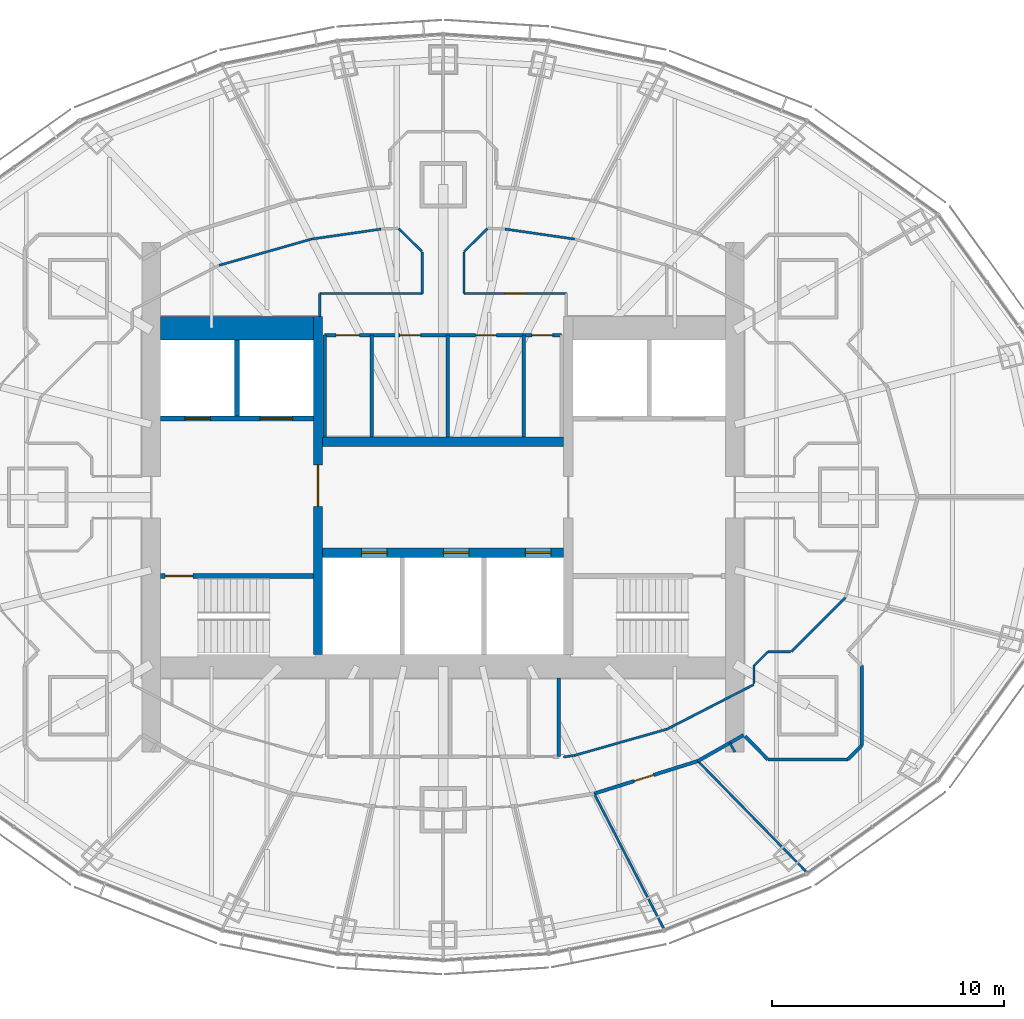
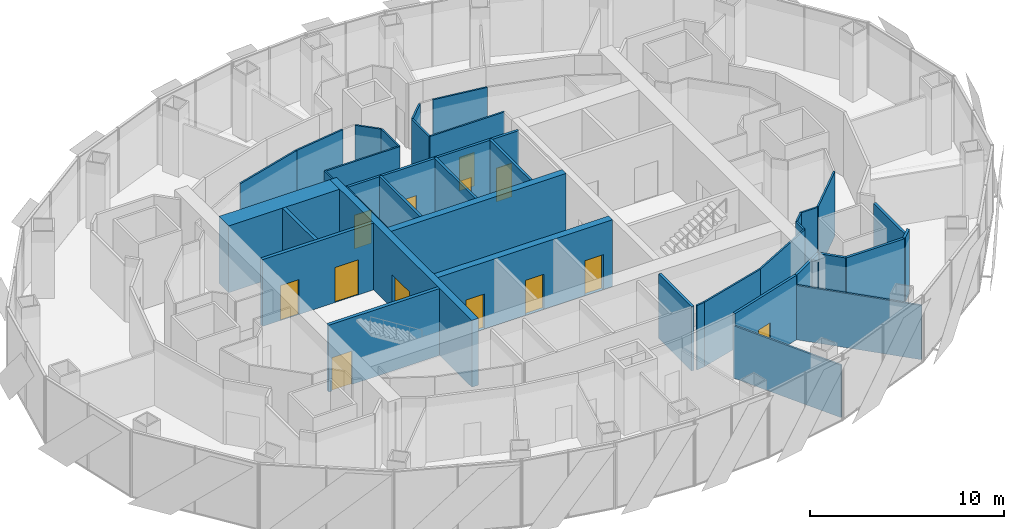
# One storey, part 13 of 18: 39 walls, 13 doors, 13 openings.
"""IFC4 building model written with IfcOpenShell, lengths in metres."""

from ifc_helpers import new_model, si_unit, direction, frame, frame_2d, origin, place, context, subcontext, project, spatial, rectangle, extrude, material, layer, layer_set, type_object, element, fill, save


model = new_model("IFC4")

# Units and contexts
model_context = context("Model", 3, precision=1e-05, world=origin(), true_north=direction((0.0, 1.0)))
body_context = subcontext(model_context, "Body", "Model", "MODEL_VIEW")
ifc_project = project(units=[si_unit("LENGTHUNIT", "METRE"), si_unit("AREAUNIT", "SQUARE_METRE"), si_unit("VOLUMEUNIT", "CUBIC_METRE"), si_unit("PLANEANGLEUNIT", "RADIAN"), si_unit("MASSUNIT", "GRAM", prefix="KILO")], contexts=[model_context])

# Site, building, storey
site_placement = place(None, origin())
site = spatial("IfcSite", under=ifc_project, at=site_placement, CompositionType="ELEMENT")
building_placement = place(site_placement, origin())
building = spatial("IfcBuilding", under=site, at=building_placement, Name="Lantaw Convention Tower", CompositionType="ELEMENT")
storey_placement = place(building_placement, frame((0.0, 0.0, 241.0)))
storey = spatial("IfcBuildingStorey", under=building, at=storey_placement, Name="L56", CompositionType="ELEMENT", Elevation=241.0)

# Wall
ifc_material_1 = material(Name="Concrete C60/75", Category="concrete")
ifc_layer_1 = layer(ifc_material_1, 1.0)
ifc_layer_set_1 = layer_set([ifc_layer_1], Name="Core wall 1000")
wall_type_1 = type_object("IfcWallType", Name="Core wall 1000", PredefinedType="SHEAR", material=ifc_layer_set_1)
wall_1_placement = place(storey_placement, frame((-5.60009765625, 7.300048828125, 0.0), z_axis=(0.0, 0.0, 1.0), x_axis=(-1.0, 0.0, 0.0)))
element("IfcWall", 1, at=wall_1_placement, inside=storey, type_object=wall_type_1, Name="Core wall NW", PredefinedType="SHEAR", context=body_context, shape_type="SweptSolid", body=[
    extrude(rectangle(XDim=6.599853515625, YDim=1.0, at=frame_2d((3.2998046875, 0.0))), origin(), (0.0, 0.0, 1.0), 4.199951171875),
])

# Wall, opening, door
ifc_layer_2 = layer(ifc_material_1, 0.199951171875)
ifc_layer_set_2 = layer_set([ifc_layer_2], Name="Core wall 200")
wall_type_2 = type_object("IfcWallType", Name="Core wall 200", PredefinedType="SHEAR", material=ifc_layer_set_2)
wall_2_placement = place(storey_placement, frame((-5.60009765625, -3.39990234375, 0.0), z_axis=(0.0, 0.0, 1.0), x_axis=(-1.0, 0.0, 0.0)))
wall_2 = element("IfcWall", 2, at=wall_2_placement, inside=storey, type_object=wall_type_2, Name="Core wall WS", PredefinedType="SHEAR", context=body_context, shape_type="SweptSolid", body=[
    extrude(rectangle(XDim=6.599853515625, YDim=0.199951171875, at=frame_2d((3.2998046875, 0.0))), origin(), (0.0, 0.0, 1.0), 4.199951171875),
])
opening_1_placement = place(wall_2_placement, frame((5.199951171875, 0.0, 0.0)))
opening_1 = element("IfcOpeningElement", 3, at=opening_1_placement, cuts=wall_2, Name="Opening L56.04", PredefinedType="OPENING", context=body_context, shape_type="SweptSolid", body=[
    extrude(rectangle(XDim=1.199951171875, YDim=2.10009765625, at=frame_2d((0.60009765625, 1.050048828125))), frame((0.0, 0.10986328125, 0.0), z_axis=(0.0, -1.0, 0.0), x_axis=(1.0, 0.0, 0.0)), (0.0, 0.0, 1.0), 0.219970703125),
])
ifc_material_2 = material(Name="Steel, fire rated", Category="steel")
door_type_1 = type_object("IfcDoorType", Name="Stair door FD90", OperationType="SINGLE_SWING_RIGHT", PredefinedType="DOOR", material=ifc_material_2)
door_1_placement = place(opening_1_placement, origin())
door_1 = element("IfcDoor", 4, at=door_1_placement, inside=storey, type_object=door_type_1, Name="Exit stair door", OperationType="SINGLE_SWING_RIGHT", OverallHeight=2.10009765625, OverallWidth=1.199951171875, PredefinedType="DOOR", context=body_context, shape_type="SweptSolid", body=[
    extrude(rectangle(XDim=1.199951171875, YDim=2.10009765625, at=frame_2d((0.60009765625, 1.050048828125))), frame((0.0, 0.02490234375, 0.0), z_axis=(0.0, -1.0, 0.0), x_axis=(1.0, 0.0, 0.0)), (0.0, 0.0, 1.0), 0.050048828125),
])
fill(opening_1, door_1)

ifc_layer_3 = layer(ifc_material_1, 0.39990234375)
ifc_layer_set_3 = layer_set([ifc_layer_3], Name="Core wall 400")
wall_type_3 = type_object("IfcWallType", Name="Core wall 400", PredefinedType="SHEAR", material=ifc_layer_set_3)
wall_3_placement = place(storey_placement, frame((-5.39990234375, 7.800048828125, 0.0), z_axis=(0.0, 0.0, 1.0), x_axis=(0.0, -1.0, 0.0)))
wall_3 = element("IfcWall", 5, at=wall_3_placement, inside=storey, type_object=wall_type_3, Name="Core wall XW", PredefinedType="SHEAR", context=body_context, shape_type="SweptSolid", body=[
    extrude(rectangle(XDim=14.60009765625, YDim=0.39990234375, at=frame_2d((7.300048828125, 0.0))), origin(), (0.0, 0.0, 1.0), 4.199951171875),
])
opening_2_placement = place(wall_3_placement, frame((6.39990234375, 0.0, 0.0)))
opening_2 = element("IfcOpeningElement", 6, at=opening_2_placement, cuts=wall_3, Name="Opening L56.02", PredefinedType="OPENING", context=body_context, shape_type="SweptSolid", body=[
    extrude(rectangle(XDim=1.800048828125, YDim=2.10009765625, at=frame_2d((0.89990234375, 1.050048828125))), frame((0.0, 0.2099609375, 0.0), z_axis=(0.0, -1.0, 0.0), x_axis=(1.0, 0.0, 0.0)), (0.0, 0.0, 1.0), 0.419921875),
])
door_type_2 = type_object("IfcDoorType", Name="Lobby double door FD90", OperationType="DOUBLE_DOOR_DOUBLE_SWING", PredefinedType="DOOR", material=ifc_material_2)
door_2_placement = place(opening_2_placement, origin())
door_2 = element("IfcDoor", 7, at=door_2_placement, inside=storey, type_object=door_type_2, Name="Lift lobby door", OperationType="DOUBLE_DOOR_DOUBLE_SWING", OverallHeight=2.10009765625, OverallWidth=1.800048828125, PredefinedType="DOOR", context=body_context, shape_type="SweptSolid", body=[
    extrude(rectangle(XDim=1.800048828125, YDim=2.10009765625, at=frame_2d((0.89990234375, 1.050048828125))), frame((0.0, 0.02490234375, 0.0), z_axis=(0.0, -1.0, 0.0), x_axis=(1.0, 0.0, 0.0)), (0.0, 0.0, 1.0), 0.050048828125),
])
fill(opening_2, door_2)

# Wall, openings, doors
wall_4_placement = place(storey_placement, frame((-5.199951171875, -2.39990234375, 0.0), z_axis=(0.0, 0.0, 1.0), x_axis=(1.0, 0.0, 0.0)))
wall_4 = element("IfcWall", 8, at=wall_4_placement, inside=storey, type_object=wall_type_3, Name="Core wall BS", PredefinedType="SHEAR", context=body_context, shape_type="SweptSolid", body=[
    extrude(rectangle(XDim=10.39990234375, YDim=0.39990234375, at=frame_2d((5.199951171875, 0.0))), origin(), (0.0, 0.0, 1.0), 4.199951171875),
])
opening_3_placement = place(wall_4_placement, frame((1.683349609375, 0.0, 0.0)))
opening_3 = element("IfcOpeningElement", 9, at=opening_3_placement, cuts=wall_4, Name="Opening L56.07", PredefinedType="OPENING", context=body_context, shape_type="SweptSolid", body=[
    extrude(rectangle(XDim=1.10009765625, YDim=2.199951171875, at=frame_2d((0.550048828125, 1.10009765625))), frame((0.0, 0.2099609375, 0.0), z_axis=(0.0, -1.0, 0.0), x_axis=(1.0, 0.0, 0.0)), (0.0, 0.0, 1.0), 0.419921875),
])
opening_4_placement = place(wall_4_placement, frame((5.216796875, 0.0, 0.0)))
opening_4 = element("IfcOpeningElement", 10, at=opening_4_placement, cuts=wall_4, Name="Opening L56.08", PredefinedType="OPENING", context=body_context, shape_type="SweptSolid", body=[
    extrude(rectangle(XDim=1.10009765625, YDim=2.199951171875, at=frame_2d((0.550048828125, 1.10009765625))), frame((0.0, 0.2099609375, 0.0), z_axis=(0.0, -1.0, 0.0), x_axis=(1.0, 0.0, 0.0)), (0.0, 0.0, 1.0), 0.419921875),
])
opening_5_placement = place(wall_4_placement, frame((8.75, 0.0, 0.0)))
opening_5 = element("IfcOpeningElement", 11, at=opening_5_placement, cuts=wall_4, Name="Opening L56.09", PredefinedType="OPENING", context=body_context, shape_type="SweptSolid", body=[
    extrude(rectangle(XDim=1.10009765625, YDim=2.199951171875, at=frame_2d((0.550048828125, 1.10009765625))), frame((0.0, 0.2099609375, 0.0), z_axis=(0.0, -1.0, 0.0), x_axis=(1.0, 0.0, 0.0)), (0.0, 0.0, 1.0), 0.419921875),
])
ifc_material_3 = material(Name="Stainless steel", Category="steel")
door_type_3 = type_object("IfcDoorType", Name="Lift landing door 1100", OperationType="DOUBLE_DOOR_SLIDING", PredefinedType="DOOR", material=ifc_material_3)
door_3_placement = place(opening_3_placement, origin())
door_3 = element("IfcDoor", 12, at=door_3_placement, inside=storey, type_object=door_type_3, Name="Lift landing door S1", OperationType="DOUBLE_DOOR_SLIDING", OverallHeight=2.199951171875, OverallWidth=1.10009765625, PredefinedType="DOOR", context=body_context, shape_type="SweptSolid", body=[
    extrude(rectangle(XDim=1.10009765625, YDim=2.199951171875, at=frame_2d((0.550048828125, 1.10009765625))), frame((0.0, 0.02490234375, 0.0), z_axis=(0.0, -1.0, 0.0), x_axis=(1.0, 0.0, 0.0)), (0.0, 0.0, 1.0), 0.050048828125),
])
fill(opening_3, door_3)
door_4_placement = place(opening_4_placement, origin())
door_4 = element("IfcDoor", 13, at=door_4_placement, inside=storey, type_object=door_type_3, Name="Lift landing door S2", OperationType="DOUBLE_DOOR_SLIDING", OverallHeight=2.199951171875, OverallWidth=1.10009765625, PredefinedType="DOOR", context=body_context, shape_type="SweptSolid", body=[
    extrude(rectangle(XDim=1.10009765625, YDim=2.199951171875, at=frame_2d((0.550048828125, 1.10009765625))), frame((0.0, 0.02490234375, 0.0), z_axis=(0.0, -1.0, 0.0), x_axis=(1.0, 0.0, 0.0)), (0.0, 0.0, 1.0), 0.050048828125),
])
fill(opening_4, door_4)
door_5_placement = place(opening_5_placement, origin())
door_5 = element("IfcDoor", 14, at=door_5_placement, inside=storey, type_object=door_type_3, Name="Lift landing door S3", OperationType="DOUBLE_DOOR_SLIDING", OverallHeight=2.199951171875, OverallWidth=1.10009765625, PredefinedType="DOOR", context=body_context, shape_type="SweptSolid", body=[
    extrude(rectangle(XDim=1.10009765625, YDim=2.199951171875, at=frame_2d((0.550048828125, 1.10009765625))), frame((0.0, 0.02490234375, 0.0), z_axis=(0.0, -1.0, 0.0), x_axis=(1.0, 0.0, 0.0)), (0.0, 0.0, 1.0), 0.050048828125),
])
fill(opening_5, door_5)

# Wall
wall_5_placement = place(storey_placement, frame((5.199951171875, 2.39990234375, 0.0), z_axis=(0.0, 0.0, 1.0), x_axis=(-1.0, 0.0, 0.0)))
element("IfcWall", 15, at=wall_5_placement, inside=storey, type_object=wall_type_3, Name="Core wall BN", PredefinedType="SHEAR", context=body_context, shape_type="SweptSolid", body=[
    extrude(rectangle(XDim=10.39990234375, YDim=0.39990234375, at=frame_2d((5.199951171875, 0.0))), origin(), (0.0, 0.0, 1.0), 4.199951171875),
])

# Wall, opening, door
ifc_material_4 = material(Name="Gypsum board on steel studs, fire rated", Category="steel")
ifc_layer_4 = layer(ifc_material_4, 0.14990234375)
ifc_layer_set_4 = layer_set([ifc_layer_4], Name="Corridor wall 150 EI 60")
wall_type_4 = type_object("IfcWallType", Name="Corridor wall 150 EI 60", PredefinedType="PARTITIONING", material=ifc_layer_set_4)
wall_6_placement = place(storey_placement, frame((6.521240234375, -12.798828125, 0.0), z_axis=(0.0, 0.0, 1.0), x_axis=(0.954031103669, 0.299707612903, 0.0)))
wall_6 = element("IfcWall", 16, at=wall_6_placement, inside=storey, type_object=wall_type_4, Name="Corridor wall 150", PredefinedType="PARTITIONING", context=body_context, shape_type="SweptSolid", body=[
    extrude(rectangle(XDim=4.6953125, YDim=0.14990234375, at=frame_2d((2.34765625, 0.0))), origin(), (0.0, 0.0, 1.0), 4.050048828125),
])
opening_6_placement = place(wall_6_placement, frame((1.794921875, 0.0, 0.0)))
opening_6 = element("IfcOpeningElement", 17, at=opening_6_placement, cuts=wall_6, Name="Opening L56.42", PredefinedType="OPENING", context=body_context, shape_type="SweptSolid", body=[
    extrude(rectangle(XDim=0.89990234375, YDim=2.10009765625, at=frame_2d((0.449951171875, 1.050048828125))), frame((0.0, 0.0849609375, 0.0), z_axis=(0.0, -1.0, 0.0), x_axis=(1.0, 0.0, 0.0)), (0.0, 0.0, 1.0), 0.169921875),
])
door_type_4 = type_object("IfcDoorType", Name="Office door 900 FD30", OperationType="SINGLE_SWING_LEFT", PredefinedType="DOOR", material=ifc_material_2)
door_6_placement = place(opening_6_placement, origin())
door_6 = element("IfcDoor", 18, at=door_6_placement, inside=storey, type_object=door_type_4, Name="Private office door", OperationType="SINGLE_SWING_LEFT", OverallHeight=2.10009765625, OverallWidth=0.89990234375, PredefinedType="DOOR", context=body_context, shape_type="SweptSolid", body=[
    extrude(rectangle(XDim=0.89990234375, YDim=2.10009765625, at=frame_2d((0.449951171875, 1.050048828125))), frame((0.0, 0.02490234375, 0.0), z_axis=(0.0, -1.0, 0.0), x_axis=(1.0, 0.0, 0.0)), (0.0, 0.0, 1.0), 0.050048828125),
])
fill(opening_6, door_6)

# Walls
wall_7_placement = place(storey_placement, frame((11.000732421875, -11.3916015625, 0.0), z_axis=(0.0, 0.0, 1.0), x_axis=(0.869722107117, 0.493541747366, 0.0)))
element("IfcWall", 19, at=wall_7_placement, inside=storey, type_object=wall_type_4, Name="Corridor wall 150", PredefinedType="PARTITIONING", context=body_context, shape_type="SweptSolid", body=[
    extrude(rectangle(XDim=2.26953125, YDim=0.14990234375, at=frame_2d((1.134765625, 0.0))), origin(), (0.0, 0.0, 1.0), 4.050048828125),
])
wall_8_placement = place(storey_placement, frame((18.074951171875, -7.275390625, 0.0), z_axis=(0.0, 0.0, 1.0), x_axis=(0.0, -1.0, 0.0)))
element("IfcWall", 20, at=wall_8_placement, inside=storey, type_object=wall_type_4, Name="Corridor wall 150", PredefinedType="PARTITIONING", context=body_context, shape_type="SweptSolid", body=[
    extrude(rectangle(XDim=3.44921875, YDim=0.14990234375, at=frame_2d((1.724609375, 0.0))), origin(), (0.0, 0.0, 1.0), 3.600341796875),
])
wall_9_placement = place(storey_placement, frame((18.074951171875, -10.724609375, 0.0), z_axis=(0.0, 0.0, 1.0), x_axis=(-0.707106781187, -0.707106781187, 0.0)))
element("IfcWall", 21, at=wall_9_placement, inside=storey, type_object=wall_type_4, Name="Corridor wall 150", PredefinedType="PARTITIONING", context=body_context, shape_type="SweptSolid", body=[
    extrude(rectangle(XDim=0.84912109375, YDim=0.14990234375, at=frame_2d((0.424560546875, 0.0))), origin(), (0.0, 0.0, 1.0), 4.050048828125),
])
wall_10_placement = place(storey_placement, frame((17.474609375, -11.324951171875, 0.0), z_axis=(0.0, 0.0, 1.0), x_axis=(-1.0, 0.0, 0.0)))
element("IfcWall", 22, at=wall_10_placement, inside=storey, type_object=wall_type_4, Name="Corridor wall 150", PredefinedType="PARTITIONING", context=body_context, shape_type="SweptSolid", body=[
    extrude(rectangle(XDim=3.44921875, YDim=0.14990234375, at=frame_2d((1.724609375, 0.0))), origin(), (0.0, 0.0, 1.0), 4.050048828125),
])
wall_11_placement = place(storey_placement, frame((14.025390625, -11.324951171875, 0.0), z_axis=(0.0, 0.0, 1.0), x_axis=(-0.701113567316, 0.713049623606, 0.0)))
element("IfcWall", 23, at=wall_11_placement, inside=storey, type_object=wall_type_4, Name="Corridor wall 150", PredefinedType="PARTITIONING", context=body_context, shape_type="SweptSolid", body=[
    extrude(rectangle(XDim=1.411376953125, YDim=0.14990234375, at=frame_2d((0.70556640625, 0.0))), origin(), (0.0, 0.0, 1.0), 4.050048828125),
])
ifc_material_5 = material(Name="Gypsum board on steel studs, acoustic", Category="steel")
ifc_layer_5 = layer(ifc_material_5, 0.10009765625)
ifc_layer_set_5 = layer_set([ifc_layer_5], Name="Office partition 100")
wall_type_5 = type_object("IfcWallType", Name="Office partition 100", PredefinedType="PARTITIONING", material=ifc_layer_set_5)
wall_12_placement = place(storey_placement, frame((9.53955078125, -18.650390625, 0.0), z_axis=(0.0, 0.0, 1.0), x_axis=(-0.458420942987, 0.888735190611, 0.0)))
element("IfcWall", 24, at=wall_12_placement, inside=storey, type_object=wall_type_5, Name="Office partition 100", PredefinedType="PARTITIONING", context=body_context, shape_type="SweptSolid", body=[
    extrude(rectangle(XDim=6.584228515625, YDim=0.10009765625, at=frame_2d((3.2919921875, 0.0))), origin(), (0.0, 0.0, 1.0), 3.29296875),
])
wall_13_placement = place(storey_placement, frame((15.70947265625, -16.19873046875, 0.0), z_axis=(0.0, 0.0, 1.0), x_axis=(-0.699758297028, 0.71437967898, 0.0)))
element("IfcWall", 25, at=wall_13_placement, inside=storey, type_object=wall_type_5, Name="Office partition 100", PredefinedType="PARTITIONING", context=body_context, shape_type="SweptSolid", body=[
    extrude(rectangle(XDim=6.72900390625, YDim=0.10009765625, at=frame_2d((3.364501953125, 0.0))), origin(), (0.0, 0.0, 1.0), 3.409912109375),
])
wall_14_placement = place(storey_placement, frame((9.67041015625, -10.01416015625, 0.0), z_axis=(0.0, 0.0, 1.0), x_axis=(-0.961973498971, -0.273142796496, 0.0)))
element("IfcWall", 26, at=wall_14_placement, inside=storey, type_object=wall_type_5, Name="Office partition 100", PredefinedType="PARTITIONING", context=body_context, shape_type="SweptSolid", body=[
    extrude(rectangle(XDim=4.148193359375, YDim=0.10009765625, at=frame_2d((2.07421875, 0.0))), origin(), (0.0, 0.0, 1.0), 4.050048828125),
])
wall_15_placement = place(storey_placement, frame((5.679931640625, -11.147216796875, 0.0), z_axis=(0.0, 0.0, 1.0), x_axis=(-0.989797891768, -0.142478536811, 0.0)))
element("IfcWall", 27, at=wall_15_placement, inside=storey, type_object=wall_type_5, Name="Office partition 100", PredefinedType="PARTITIONING", context=body_context, shape_type="SweptSolid", body=[
    extrude(rectangle(XDim=0.48486328125, YDim=0.10009765625, at=frame_2d((0.242431640625, 0.0))), origin(), (0.0, 0.0, 1.0), 4.050048828125),
])

# Wall, opening, door
wall_16_placement = place(storey_placement, frame((5.320068359375, 8.800048828125, 0.0), z_axis=(0.0, 0.0, 1.0), x_axis=(-1.0, 0.0, 0.0)))
wall_16 = element("IfcWall", 28, at=wall_16_placement, inside=storey, type_object=wall_type_5, Name="Office partition 100", PredefinedType="PARTITIONING", context=body_context, shape_type="SweptSolid", body=[
    extrude(rectangle(XDim=4.420166015625, YDim=0.10009765625, at=frame_2d((2.2099609375, 0.0))), origin(), (0.0, 0.0, 1.0), 4.050048828125),
])
opening_7_placement = place(wall_16_placement, frame((1.760009765625, 0.0, 0.0)))
opening_7 = element("IfcOpeningElement", 29, at=opening_7_placement, cuts=wall_16, Name="Opening L56.25", PredefinedType="OPENING", context=body_context, shape_type="SweptSolid", body=[
    extrude(rectangle(XDim=0.89990234375, YDim=2.10009765625, at=frame_2d((0.449951171875, 1.050048828125))), frame((0.0, 0.06005859375, 0.0), z_axis=(0.0, -1.0, 0.0), x_axis=(1.0, 0.0, 0.0)), (0.0, 0.0, 1.0), 0.1201171875),
])
ifc_material_6 = material(Name="Timber", Category="wood")
door_type_5 = type_object("IfcDoorType", Name="Office door 900", OperationType="SINGLE_SWING_LEFT", PredefinedType="DOOR", material=ifc_material_6)
door_7_placement = place(opening_7_placement, origin())
door_7 = element("IfcDoor", 30, at=door_7_placement, inside=storey, type_object=door_type_5, Name="Meeting room door", OperationType="SINGLE_SWING_LEFT", OverallHeight=2.10009765625, OverallWidth=0.89990234375, PredefinedType="DOOR", context=body_context, shape_type="SweptSolid", body=[
    extrude(rectangle(XDim=0.89990234375, YDim=2.10009765625, at=frame_2d((0.449951171875, 1.050048828125))), frame((0.0, 0.02490234375, 0.0), z_axis=(0.0, -1.0, 0.0), x_axis=(1.0, 0.0, 0.0)), (0.0, 0.0, 1.0), 0.050048828125),
])
fill(opening_7, door_7)

# Walls
wall_17_placement = place(storey_placement, frame((2.67333984375, 11.579833984375, 0.0), z_axis=(0.0, 0.0, 1.0), x_axis=(0.989805921373, -0.142422744025, 0.0)))
element("IfcWall", 31, at=wall_17_placement, inside=storey, type_object=wall_type_5, Name="Office partition 100", PredefinedType="PARTITIONING", context=body_context, shape_type="SweptSolid", body=[
    extrude(rectangle(XDim=3.03759765625, YDim=0.10009765625, at=frame_2d((1.518798828125, 0.0))), origin(), (0.0, 0.0, 1.0), 4.050048828125),
])
wall_18_placement = place(storey_placement, frame((-9.67041015625, 10.01416015625, 0.0), z_axis=(0.0, 0.0, 1.0), x_axis=(0.961973498971, 0.273142796496, 0.0)))
element("IfcWall", 32, at=wall_18_placement, inside=storey, type_object=wall_type_5, Name="Office partition 100", PredefinedType="PARTITIONING", context=body_context, shape_type="SweptSolid", body=[
    extrude(rectangle(XDim=4.148193359375, YDim=0.10009765625, at=frame_2d((2.07421875, 0.0))), origin(), (0.0, 0.0, 1.0), 4.050048828125),
])
wall_19_placement = place(storey_placement, frame((-5.679931640625, 11.147216796875, 0.0), z_axis=(0.0, 0.0, 1.0), x_axis=(0.989805921373, 0.142422744025, 0.0)))
element("IfcWall", 33, at=wall_19_placement, inside=storey, type_object=wall_type_5, Name="Office partition 100", PredefinedType="PARTITIONING", context=body_context, shape_type="SweptSolid", body=[
    extrude(rectangle(XDim=3.03759765625, YDim=0.10009765625, at=frame_2d((1.518798828125, 0.0))), origin(), (0.0, 0.0, 1.0), 4.050048828125),
])
wall_20_placement = place(storey_placement, frame((-0.89990234375, 8.800048828125, 0.0), z_axis=(0.0, 0.0, 1.0), x_axis=(-1.0, 0.0, 0.0)))
element("IfcWall", 34, at=wall_20_placement, inside=storey, type_object=wall_type_5, Name="Office partition 100", PredefinedType="PARTITIONING", context=body_context, shape_type="SweptSolid", body=[
    extrude(rectangle(XDim=4.420166015625, YDim=0.10009765625, at=frame_2d((2.2099609375, 0.0))), origin(), (0.0, 0.0, 1.0), 4.050048828125),
])
wall_21_placement = place(storey_placement, frame((-5.320068359375, 8.800048828125, 0.0), z_axis=(0.0, 0.0, 1.0), x_axis=(0.0, -1.0, 0.0)))
element("IfcWall", 35, at=wall_21_placement, inside=storey, type_object=wall_type_5, Name="Office partition 100", PredefinedType="PARTITIONING", context=body_context, shape_type="SweptSolid", body=[
    extrude(rectangle(XDim=1.0, YDim=0.10009765625, at=frame_2d((0.5, 0.0))), origin(), (0.0, 0.0, 1.0), 4.050048828125),
])
wall_22_placement = place(storey_placement, frame((12.60009765625, -11.0, 0.0), z_axis=(0.0, 0.0, 1.0), x_axis=(-0.493794495037, 0.869578631678, 0.0)))
element("IfcWall", 36, at=wall_22_placement, inside=storey, type_object=wall_type_5, Name="Office partition 100", PredefinedType="PARTITIONING", context=body_context, shape_type="SweptSolid", body=[
    extrude(rectangle(XDim=0.448974609375, YDim=0.10009765625, at=frame_2d((0.224609375, 0.0))), origin(), (0.0, 0.0, 1.0), 4.050048828125),
])
for number, where, z_axis, x_axis, name in (
    (37, (0.89990234375, 8.800048828125, 0.0), (0.0, 0.0, 1.0), (0.0, 1.0, 0.0), "Office partition 100"),
    (38, (-0.89990234375, 10.58544921875, 0.0), (0.0, 0.0, 1.0), (0.0, -1.0, 0.0), "Office partition 100"),
):
    element("IfcWall", number, at=place(storey_placement, frame(where, z_axis=z_axis, x_axis=x_axis)), inside=storey, type_object=wall_type_5, Name=name, PredefinedType="PARTITIONING", context=body_context, shape_type="SweptSolid", body=[
        extrude(rectangle(XDim=1.785400390625, YDim=0.10009765625, at=frame_2d((0.892578125, 0.0))), origin(), (0.0, 0.0, 1.0), 4.050048828125),
    ])
for number, where, z_axis, x_axis, name in (
    (39, (1.913330078125, 11.595947265625, 0.0), (0.0, 0.0, 1.0), (-0.71318945388, -0.70097132814, 0.0), "Office partition 100"),
    (40, (-0.915771484375, 10.615478515625, 0.0), (0.0, 0.0, 1.0), (-0.71318945388, 0.70097132814, 0.0), "Office partition 100"),
):
    element("IfcWall", number, at=place(storey_placement, frame(where, z_axis=z_axis, x_axis=x_axis)), inside=storey, type_object=wall_type_5, Name=name, PredefinedType="PARTITIONING", context=body_context, shape_type="SweptSolid", body=[
        extrude(rectangle(XDim=1.398681640625, YDim=0.10009765625, at=frame_2d((0.69921875, 0.0))), origin(), (0.0, 0.0, 1.0), 4.050048828125),
    ])
wall_23_placement = place(storey_placement, frame((17.37158203125, -4.331298828125, 0.0), z_axis=(0.0, 0.0, 1.0), x_axis=(-0.707587114823, -0.70662612104, 0.0)))
element("IfcWall", 41, at=wall_23_placement, inside=storey, type_object=wall_type_5, Name="Office partition 100", PredefinedType="PARTITIONING", context=body_context, shape_type="SweptSolid", body=[
    extrude(rectangle(XDim=3.302734375, YDim=0.10009765625, at=frame_2d((1.6513671875, 0.0))), origin(), (0.0, 0.0, 1.0), 4.050048828125),
])
wall_24_placement = place(storey_placement, frame((13.4150390625, -8.091796875, 0.0), z_axis=(0.0, 0.0, 1.0), x_axis=(-0.889620520549, -0.45670048108, 0.0)))
element("IfcWall", 42, at=wall_24_placement, inside=storey, type_object=wall_type_5, Name="Office partition 100", PredefinedType="PARTITIONING", context=body_context, shape_type="SweptSolid", body=[
    extrude(rectangle(XDim=4.209228515625, YDim=0.10009765625, at=frame_2d((2.1044921875, 0.0))), origin(), (0.0, 0.0, 1.0), 4.050048828125),
])
wall_25_placement = place(storey_placement, frame((13.425048828125, -8.045654296875, 0.0), z_axis=(0.0, 0.0, 1.0), x_axis=(0.0, 1.0, 0.0)))
element("IfcWall", 43, at=wall_25_placement, inside=storey, type_object=wall_type_5, Name="Office partition 100", PredefinedType="PARTITIONING", context=body_context, shape_type="SweptSolid", body=[
    extrude(rectangle(XDim=0.770263671875, YDim=0.10009765625, at=frame_2d((0.38525390625, 0.0))), origin(), (0.0, 0.0, 1.0), 4.050048828125),
])
wall_26_placement = place(storey_placement, frame((13.425048828125, -7.275390625, 0.0), z_axis=(0.0, 0.0, 1.0), x_axis=(0.707106781187, 0.707106781187, 0.0)))
element("IfcWall", 44, at=wall_26_placement, inside=storey, type_object=wall_type_5, Name="Office partition 100", PredefinedType="PARTITIONING", context=body_context, shape_type="SweptSolid", body=[
    extrude(rectangle(XDim=0.84912109375, YDim=0.10009765625, at=frame_2d((0.424560546875, 0.0))), origin(), (0.0, 0.0, 1.0), 4.050048828125),
])
wall_27_placement = place(storey_placement, frame((14.025390625, -6.675048828125, 0.0), z_axis=(0.0, 0.0, 1.0), x_axis=(1.0, 0.0, 0.0)))
element("IfcWall", 45, at=wall_27_placement, inside=storey, type_object=wall_type_5, Name="Office partition 100", PredefinedType="PARTITIONING", context=body_context, shape_type="SweptSolid", body=[
    extrude(rectangle(XDim=0.976806640625, YDim=0.10009765625, at=frame_2d((0.48828125, 0.0))), origin(), (0.0, 0.0, 1.0), 4.050048828125),
])

# Wall, openings, doors
ifc_material_7 = material(Name="Concrete blockwork, fire rated", Category="masonry")
ifc_layer_6 = layer(ifc_material_7, 0.199951171875)
ifc_layer_set_6 = layer_set([ifc_layer_6], Name="Shaft wall 200")
wall_type_6 = type_object("IfcWallType", Name="Shaft wall 200", PredefinedType="SOLIDWALL", material=ifc_layer_set_6)
wall_28_placement = place(storey_placement, frame((-12.199951171875, 3.39990234375, 0.0), z_axis=(0.0, 0.0, 1.0), x_axis=(1.0, 0.0, 0.0)))
wall_28 = element("IfcWall", 46, at=wall_28_placement, inside=storey, type_object=wall_type_6, Name="Shaft wall WN", PredefinedType="SOLIDWALL", context=body_context, shape_type="SweptSolid", body=[
    extrude(rectangle(XDim=6.599853515625, YDim=0.199951171875, at=frame_2d((3.2998046875, 0.0))), origin(), (0.0, 0.0, 1.0), 4.199951171875),
])
opening_8_placement = place(wall_28_placement, frame((1.050048828125, 0.0, 0.0)))
opening_8 = element("IfcOpeningElement", 47, at=opening_8_placement, cuts=wall_28, Name="Opening L56.10", PredefinedType="OPENING", context=body_context, shape_type="SweptSolid", body=[
    extrude(rectangle(XDim=1.10009765625, YDim=2.199951171875, at=frame_2d((0.550048828125, 1.10009765625))), frame((0.0, 0.10986328125, 0.0), z_axis=(0.0, -1.0, 0.0), x_axis=(1.0, 0.0, 0.0)), (0.0, 0.0, 1.0), 0.219970703125),
])
opening_9_placement = place(wall_28_placement, frame((4.300048828125, 0.0, 0.0)))
opening_9 = element("IfcOpeningElement", 48, at=opening_9_placement, cuts=wall_28, Name="Opening L56.11", PredefinedType="OPENING", context=body_context, shape_type="SweptSolid", body=[
    extrude(rectangle(XDim=1.39990234375, YDim=2.199951171875, at=frame_2d((0.699951171875, 1.10009765625))), frame((0.0, 0.10986328125, 0.0), z_axis=(0.0, -1.0, 0.0), x_axis=(1.0, 0.0, 0.0)), (0.0, 0.0, 1.0), 0.219970703125),
])
door_8_placement = place(opening_8_placement, origin())
door_8 = element("IfcDoor", 49, at=door_8_placement, inside=storey, type_object=door_type_3, Name="Lift landing door FF1", OperationType="DOUBLE_DOOR_SLIDING", OverallHeight=2.199951171875, OverallWidth=1.10009765625, PredefinedType="DOOR", context=body_context, shape_type="SweptSolid", body=[
    extrude(rectangle(XDim=1.10009765625, YDim=2.199951171875, at=frame_2d((0.550048828125, 1.10009765625))), frame((0.0, 0.02490234375, 0.0), z_axis=(0.0, -1.0, 0.0), x_axis=(1.0, 0.0, 0.0)), (0.0, 0.0, 1.0), 0.050048828125),
])
fill(opening_8, door_8)
door_type_6 = type_object("IfcDoorType", Name="Lift landing door 1400", OperationType="DOUBLE_DOOR_SLIDING", PredefinedType="DOOR", material=ifc_material_3)
door_9_placement = place(opening_9_placement, origin())
door_9 = element("IfcDoor", 50, at=door_9_placement, inside=storey, type_object=door_type_6, Name="Lift landing door SV1", OperationType="DOUBLE_DOOR_SLIDING", OverallHeight=2.199951171875, OverallWidth=1.39990234375, PredefinedType="DOOR", context=body_context, shape_type="SweptSolid", body=[
    extrude(rectangle(XDim=1.39990234375, YDim=2.199951171875, at=frame_2d((0.699951171875, 1.10009765625))), frame((0.0, 0.02490234375, 0.0), z_axis=(0.0, -1.0, 0.0), x_axis=(1.0, 0.0, 0.0)), (0.0, 0.0, 1.0), 0.050048828125),
])
fill(opening_9, door_9)

# Wall
wall_29_placement = place(storey_placement, frame((-8.89990234375, 3.5, 0.0), z_axis=(0.0, 0.0, 1.0), x_axis=(0.0, 1.0, 0.0)))
element("IfcWall", 51, at=wall_29_placement, inside=storey, type_object=wall_type_6, Name="Shaft wall WD", PredefinedType="SOLIDWALL", context=body_context, shape_type="SweptSolid", body=[
    extrude(rectangle(XDim=3.300048828125, YDim=0.199951171875, at=frame_2d((1.64990234375, 0.0))), origin(), (0.0, 0.0, 1.0), 4.199951171875),
])

# Wall, openings, doors
ifc_material_8 = material(Name="Concrete blockwork", Category="masonry")
ifc_layer_7 = layer(ifc_material_8, 0.14990234375)
ifc_layer_set_7 = layer_set([ifc_layer_7], Name="WC wall 150")
wall_type_7 = type_object("IfcWallType", Name="WC wall 150", PredefinedType="SOLIDWALL", material=ifc_layer_set_7)
wall_30_placement = place(storey_placement, frame((-5.1201171875, 7.0, 0.0), z_axis=(0.0, 0.0, 1.0), x_axis=(1.0, 0.0, 0.0)))
wall_30 = element("IfcWall", 52, at=wall_30_placement, inside=storey, type_object=wall_type_7, Name="WC wall 150", PredefinedType="SOLIDWALL", context=body_context, shape_type="SweptSolid", body=[
    extrude(rectangle(XDim=10.240234375, YDim=0.14990234375, at=frame_2d((5.1201171875, 0.0))), origin(), (0.0, 0.0, 1.0), 4.050048828125),
])
opening_10_placement = place(wall_30_placement, frame((0.5, 0.0, 0.0)))
opening_10 = element("IfcOpeningElement", 53, at=opening_10_placement, cuts=wall_30, Name="Opening L56.14", PredefinedType="OPENING", context=body_context, shape_type="SweptSolid", body=[
    extrude(rectangle(XDim=1.0, YDim=2.10009765625, at=frame_2d((0.5, 1.050048828125))), frame((0.0, 0.0849609375, 0.0), z_axis=(0.0, -1.0, 0.0), x_axis=(1.0, 0.0, 0.0)), (0.0, 0.0, 1.0), 0.169921875),
])
opening_11_placement = place(wall_30_placement, frame((3.248046875, 0.0, 0.0)))
opening_11 = element("IfcOpeningElement", 54, at=opening_11_placement, cuts=wall_30, Name="Opening L56.15", PredefinedType="OPENING", context=body_context, shape_type="SweptSolid", body=[
    extrude(rectangle(XDim=0.89990234375, YDim=2.10009765625, at=frame_2d((0.449951171875, 1.050048828125))), frame((0.0, 0.0849609375, 0.0), z_axis=(0.0, -1.0, 0.0), x_axis=(1.0, 0.0, 0.0)), (0.0, 0.0, 1.0), 0.169921875),
])
opening_12_placement = place(wall_30_placement, frame((6.52490234375, 0.0, 0.0)))
opening_12 = element("IfcOpeningElement", 55, at=opening_12_placement, cuts=wall_30, Name="Opening L56.16", PredefinedType="OPENING", context=body_context, shape_type="SweptSolid", body=[
    extrude(rectangle(XDim=0.89990234375, YDim=2.10009765625, at=frame_2d((0.449951171875, 1.050048828125))), frame((0.0, 0.0849609375, 0.0), z_axis=(0.0, -1.0, 0.0), x_axis=(1.0, 0.0, 0.0)), (0.0, 0.0, 1.0), 0.169921875),
])
opening_13_placement = place(wall_30_placement, frame((8.95166015625, 0.0, 0.0)))
opening_13 = element("IfcOpeningElement", 56, at=opening_13_placement, cuts=wall_30, Name="Opening L56.17", PredefinedType="OPENING", context=body_context, shape_type="SweptSolid", body=[
    extrude(rectangle(XDim=0.89990234375, YDim=2.10009765625, at=frame_2d((0.449951171875, 1.050048828125))), frame((0.0, 0.0849609375, 0.0), z_axis=(0.0, -1.0, 0.0), x_axis=(1.0, 0.0, 0.0)), (0.0, 0.0, 1.0), 0.169921875),
])
door_type_7 = type_object("IfcDoorType", Name="Accessible WC door 1000", OperationType="SINGLE_SWING_LEFT", PredefinedType="DOOR", material=ifc_material_6)
door_10_placement = place(opening_10_placement, origin())
door_10 = element("IfcDoor", 57, at=door_10_placement, inside=storey, type_object=door_type_7, Name="Accessible WC door", OperationType="SINGLE_SWING_LEFT", OverallHeight=2.10009765625, OverallWidth=1.0, PredefinedType="DOOR", context=body_context, shape_type="SweptSolid", body=[
    extrude(rectangle(XDim=1.0, YDim=2.10009765625, at=frame_2d((0.5, 1.050048828125))), frame((0.0, 0.02490234375, 0.0), z_axis=(0.0, -1.0, 0.0), x_axis=(1.0, 0.0, 0.0)), (0.0, 0.0, 1.0), 0.050048828125),
])
fill(opening_10, door_10)
door_type_8 = type_object("IfcDoorType", Name="WC door 900", OperationType="SINGLE_SWING_LEFT", PredefinedType="DOOR", material=ifc_material_6)
door_11_placement = place(opening_11_placement, origin())
door_11 = element("IfcDoor", 58, at=door_11_placement, inside=storey, type_object=door_type_8, Name="Male WC door", OperationType="SINGLE_SWING_LEFT", OverallHeight=2.10009765625, OverallWidth=0.89990234375, PredefinedType="DOOR", context=body_context, shape_type="SweptSolid", body=[
    extrude(rectangle(XDim=0.89990234375, YDim=2.10009765625, at=frame_2d((0.449951171875, 1.050048828125))), frame((0.0, 0.02490234375, 0.0), z_axis=(0.0, -1.0, 0.0), x_axis=(1.0, 0.0, 0.0)), (0.0, 0.0, 1.0), 0.050048828125),
])
fill(opening_11, door_11)
door_12_placement = place(opening_12_placement, origin())
door_12 = element("IfcDoor", 59, at=door_12_placement, inside=storey, type_object=door_type_8, Name="Female WC door", OperationType="SINGLE_SWING_LEFT", OverallHeight=2.10009765625, OverallWidth=0.89990234375, PredefinedType="DOOR", context=body_context, shape_type="SweptSolid", body=[
    extrude(rectangle(XDim=0.89990234375, YDim=2.10009765625, at=frame_2d((0.449951171875, 1.050048828125))), frame((0.0, 0.02490234375, 0.0), z_axis=(0.0, -1.0, 0.0), x_axis=(1.0, 0.0, 0.0)), (0.0, 0.0, 1.0), 0.050048828125),
])
fill(opening_12, door_12)
door_13_placement = place(opening_13_placement, origin())
door_13 = element("IfcDoor", 60, at=door_13_placement, inside=storey, type_object=door_type_8, Name="Cleaner's store door", OperationType="SINGLE_SWING_LEFT", OverallHeight=2.10009765625, OverallWidth=0.89990234375, PredefinedType="DOOR", context=body_context, shape_type="SweptSolid", body=[
    extrude(rectangle(XDim=0.89990234375, YDim=2.10009765625, at=frame_2d((0.449951171875, 1.050048828125))), frame((0.0, 0.02490234375, 0.0), z_axis=(0.0, -1.0, 0.0), x_axis=(1.0, 0.0, 0.0)), (0.0, 0.0, 1.0), 0.050048828125),
])
fill(opening_13, door_13)

# Walls
for number, where, z_axis, x_axis, name in (
    (61, (-5.1201171875, 2.60009765625, 0.0), (0.0, 0.0, 1.0), (0.0, 1.0, 0.0), "WC wall 150"),
    (62, (-3.072021484375, 2.60009765625, 0.0), (0.0, 0.0, 1.0), (0.0, 1.0, 0.0), "WC wall 150"),
    (63, (0.204833984375, 2.60009765625, 0.0), (0.0, 0.0, 1.0), (0.0, 1.0, 0.0), "WC wall 150"),
    (64, (3.481689453125, 2.60009765625, 0.0), (0.0, 0.0, 1.0), (0.0, 1.0, 0.0), "WC wall 150"),
):
    element("IfcWall", number, at=place(storey_placement, frame(where, z_axis=z_axis, x_axis=x_axis)), inside=storey, type_object=wall_type_7, Name=name, PredefinedType="SOLIDWALL", context=body_context, shape_type="SweptSolid", body=[
        extrude(rectangle(XDim=4.39990234375, YDim=0.14990234375, at=frame_2d((2.199951171875, 0.0))), origin(), (0.0, 0.0, 1.0), 4.050048828125),
    ])
wall_31_placement = place(storey_placement, frame((5.0, -7.800048828125, 0.0), z_axis=(0.0, 0.0, 1.0), x_axis=(0.0, -1.0, 0.0)))
element("IfcWall", 65, at=wall_31_placement, inside=storey, type_object=wall_type_7, Name="WC wall 150", PredefinedType="SOLIDWALL", context=body_context, shape_type="SweptSolid", body=[
    extrude(rectangle(XDim=3.39990234375, YDim=0.14990234375, at=frame_2d((1.699951171875, 0.0))), origin(), (0.0, 0.0, 1.0), 4.050048828125),
])

save(model, "model.ifc")
